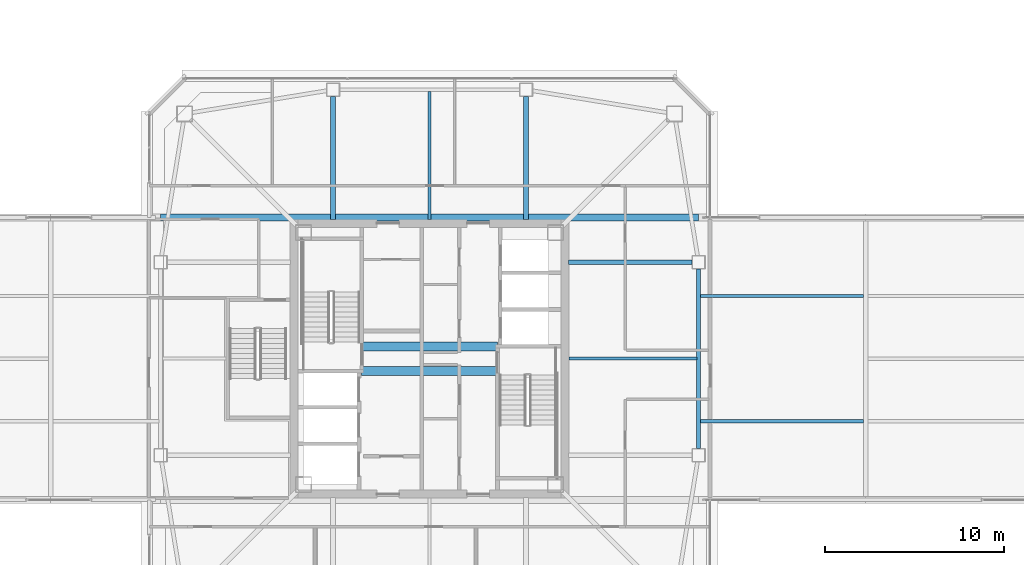
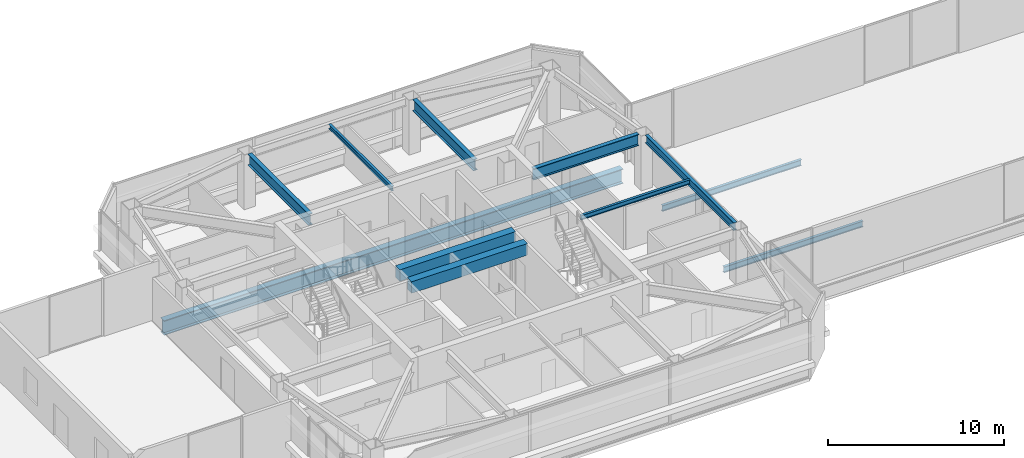
# One storey, part 13 of 51: 11 beams.
"""IFC4 building model written with IfcOpenShell, lengths in metres."""

from ifc_helpers import new_model, si_unit, direction, frame, origin, origin_2d, place, context, subcontext, project, spatial, rectangle, i_section, extrude, material, material_profile, profile_set, type_object, element, save


model = new_model("IFC4")

# Units and contexts
model_context = context("Model", 3, precision=1e-05, world=origin(), true_north=direction((0.0, 1.0)))
body_context = subcontext(model_context, "Body", "Model", "MODEL_VIEW")
ifc_project = project(units=[si_unit("LENGTHUNIT", "METRE"), si_unit("AREAUNIT", "SQUARE_METRE"), si_unit("VOLUMEUNIT", "CUBIC_METRE"), si_unit("PLANEANGLEUNIT", "RADIAN"), si_unit("MASSUNIT", "GRAM", prefix="KILO")], contexts=[model_context])

# Site, building, storey
site_placement = place(None, origin())
site = spatial("IfcSite", under=ifc_project, at=site_placement, CompositionType="ELEMENT")
building_placement = place(site_placement, origin())
building = spatial("IfcBuilding", under=site, at=building_placement, Name="Tashvorn Skyway Center", CompositionType="ELEMENT")
storey_placement = place(building_placement, frame((0.0, 0.0, 251.39990234375)))
storey = spatial("IfcBuildingStorey", under=building, at=storey_placement, Name="L68", CompositionType="ELEMENT", Elevation=251.39990234375)

# Beams
ifc_material_1 = material(Name="Steel ASTM A992 Grade 50", Category="steel")
ifc_material_profile_1 = material_profile(ifc_material_1, i_section(OverallWidth=0.26708984375, OverallDepth=0.779052734375, WebThickness=0.0166015625, FlangeThickness=0.030029296875, at=origin_2d()), Name="W30X148")
ifc_profile_set_1 = profile_set([ifc_material_profile_1], Name="Steel ASTM A992 Grade 50")
beam_type_1 = type_object("IfcBeamType", Name="BM-BEAM-W30X148", PredefinedType="BEAM", material=ifc_profile_set_1)
for number, where, z_axis, x_axis, name in (
    (1, (56.679931640625, 37.39990234375, 3.390625), (-1.0, 0.0, 0.0), (0.0, -1.0, 0.0), "Tower 1 L68 Primary Floor Girder FC-E2"),
    (2, (47.39990234375, 46.679931640625, 3.390625), (0.0, -1.0, 0.0), (1.0, 0.0, 0.0), "Tower 1 L68 Primary Floor Girder FC-N1"),
    (3, (36.60009765625, 46.679931640625, 3.390625), (0.0, -1.0, 0.0), (1.0, 0.0, 0.0), "Tower 1 L68 Primary Floor Girder FC-N2"),
):
    element("IfcBeam", number, at=place(storey_placement, frame(where, z_axis=z_axis, x_axis=x_axis)), inside=storey, type_object=beam_type_1, Name=name, PredefinedType="BEAM", context=body_context, shape_type="SweptSolid", body=[
        extrude(i_section(OverallWidth=0.26708984375, OverallDepth=0.779052734375, WebThickness=0.0166015625, FlangeThickness=0.030029296875, at=origin_2d()), origin(), (0.0, 0.0, 1.0), 6.89990234375),
    ])
ifc_material_2 = material(Name="Steel ASTM A913 Grade 65", Category="steel")
ifc_material_profile_2 = material_profile(ifc_material_2, i_section(OverallWidth=0.40087890625, OverallDepth=1.010986328125, WebThickness=0.023681640625, FlangeThickness=0.0419921875, at=origin_2d()), Name="W40X297")
ifc_profile_set_2 = profile_set([ifc_material_profile_2], Name="Steel ASTM A913 Grade 65")
beam_type_2 = type_object("IfcBeamType", Name="BM-BEAM-W40X297", PredefinedType="BEAM", material=ifc_profile_set_2)
beam_1_placement = place(storey_placement, frame((26.949951171875, 39.89990234375, -0.725341796875), z_axis=(1.0, 0.0, 0.0), x_axis=(0.0, 1.0, 0.0)))
element("IfcBeam", 4, at=beam_1_placement, inside=storey, type_object=beam_type_2, Name="Sky-Park Truss 2 Bottom Chord Panel 05", PredefinedType="BEAM", context=body_context, shape_type="SweptSolid", body=[
    extrude(i_section(OverallWidth=0.40087890625, OverallDepth=1.010986328125, WebThickness=0.023681640625, FlangeThickness=0.0419921875, at=origin_2d()), origin(), (0.0, 0.0, 1.0), 30.10009765625),
])
ifc_material_profile_3 = material_profile(ifc_material_1, i_section(OverallWidth=0.1650390625, OverallDepth=0.31005859375, WebThickness=0.005859375, FlangeThickness=0.009765625, at=origin_2d()), Name="W12X26")
ifc_profile_set_3 = profile_set([ifc_material_profile_3], Name="Steel ASTM A992 Grade 50")
beam_type_3 = type_object("IfcBeamType", Name="BM-JOIST-W12X26", PredefinedType="JOIST", material=ifc_profile_set_3)
for number, where, z_axis, x_axis, name in (
    (5, (42.0, 39.7900390625, 3.625), (0.0, 1.0, 0.0), (-1.0, 0.0, 0.0), "Tower 1 L68 Secondary Composite Joist JN"),
    (6, (49.7900390625, 32.0, 3.625), (1.0, 0.0, 0.0), (0.0, 1.0, 0.0), "Tower 1 L68 Secondary Composite Joist JE"),
):
    element("IfcBeam", number, at=place(storey_placement, frame(where, z_axis=z_axis, x_axis=x_axis)), inside=storey, type_object=beam_type_3, Name=name, PredefinedType="JOIST", context=body_context, shape_type="SweptSolid", body=[
        extrude(i_section(OverallWidth=0.1650390625, OverallDepth=0.31005859375, WebThickness=0.005859375, FlangeThickness=0.009765625, at=origin_2d()), origin(), (0.0, 0.0, 1.0), 7.162353515625),
    ])
ifc_material_profile_4 = material_profile(ifc_material_1, i_section(OverallWidth=0.177978515625, OverallDepth=0.406005859375, WebThickness=0.0078125, FlangeThickness=0.0126953125, at=origin_2d()), Name="W16X40")
ifc_profile_set_4 = profile_set([ifc_material_profile_4], Name="Steel ASTM A992 Grade 50")
beam_type_4 = type_object("IfcBeamType", Name="BM-JOIST-W16X40", PredefinedType="JOIST", material=ifc_profile_set_4)
for number, where, z_axis, x_axis, name in (
    (7, (57.1494140625, 28.5, -0.4228515625), (1.0, 0.0, 0.0), (0.0, 1.0, 0.0), "Sky-Park L68 Longitudinal Joist 06-1"),
    (8, (57.1494140625, 35.5, -0.4228515625), (1.0, 0.0, 0.0), (0.0, 1.0, 0.0), "Sky-Park L68 Longitudinal Joist 06-3"),
):
    element("IfcBeam", number, at=place(storey_placement, frame(where, z_axis=z_axis, x_axis=x_axis)), inside=storey, type_object=beam_type_4, Name=name, PredefinedType="JOIST", context=body_context, shape_type="SweptSolid", body=[
        extrude(i_section(OverallWidth=0.177978515625, OverallDepth=0.406005859375, WebThickness=0.0078125, FlangeThickness=0.0126953125, at=origin_2d()), origin(), (0.0, 0.0, 1.0), 9.125),
    ])
ifc_material_3 = material(Name="Concrete C50/60", Category="concrete")
ifc_material_profile_5 = material_profile(ifc_material_3, rectangle(XDim=0.5, YDim=0.800048828125, at=origin_2d()), Name="RCB500x800")
ifc_profile_set_5 = profile_set([ifc_material_profile_5], Name="Concrete C50/60")
beam_type_5 = type_object("IfcBeamType", Name="BM-LINTEL-RCB500x800", PredefinedType="LINTEL", material=ifc_profile_set_5)
for number, where, z_axis, x_axis, name in (
    (9, (38.199951171875, 32.679931640625, 3.380126953125), (1.0, 0.0, 0.0), (0.0, 1.0, 0.0), "Tower 1 L68 Core Coupling Beam CN"),
    (10, (38.199951171875, 31.320068359375, 3.380126953125), (1.0, 0.0, 0.0), (0.0, 1.0, 0.0), "Tower 1 L68 Core Coupling Beam CS"),
):
    element("IfcBeam", number, at=place(storey_placement, frame(where, z_axis=z_axis, x_axis=x_axis)), inside=storey, type_object=beam_type_5, Name=name, PredefinedType="LINTEL", context=body_context, shape_type="SweptSolid", body=[
        extrude(rectangle(XDim=0.5, YDim=0.800048828125, at=origin_2d()), origin(), (0.0, 0.0, 1.0), 7.60009765625),
    ])
ifc_material_profile_6 = material_profile(ifc_material_1, i_section(OverallWidth=0.2109375, OverallDepth=0.5390625, WebThickness=0.01171875, FlangeThickness=0.018798828125, at=origin_2d()), Name="W21X73")
ifc_profile_set_6 = profile_set([ifc_material_profile_6], Name="Steel ASTM A992 Grade 50")
beam_type_6 = type_object("IfcBeamType", Name="BM-SPANDREL-W21X73", PredefinedType="SPANDREL", material=ifc_profile_set_6)
beam_2_placement = place(storey_placement, frame((57.050048828125, 26.969970703125, 3.510498046875), z_axis=(0.0, 1.0, 0.0), x_axis=(-1.0, 0.0, 0.0)))
element("IfcBeam", 11, at=beam_2_placement, inside=storey, type_object=beam_type_6, Name="Tower 1 L68 Spandrel Beam 05", PredefinedType="SPANDREL", context=body_context, shape_type="SweptSolid", body=[
    extrude(i_section(OverallWidth=0.2109375, OverallDepth=0.5390625, WebThickness=0.01171875, FlangeThickness=0.018798828125, at=origin_2d()), origin(), (0.0, 0.0, 1.0), 10.06005859375),
])

save(model, "model.ifc")
